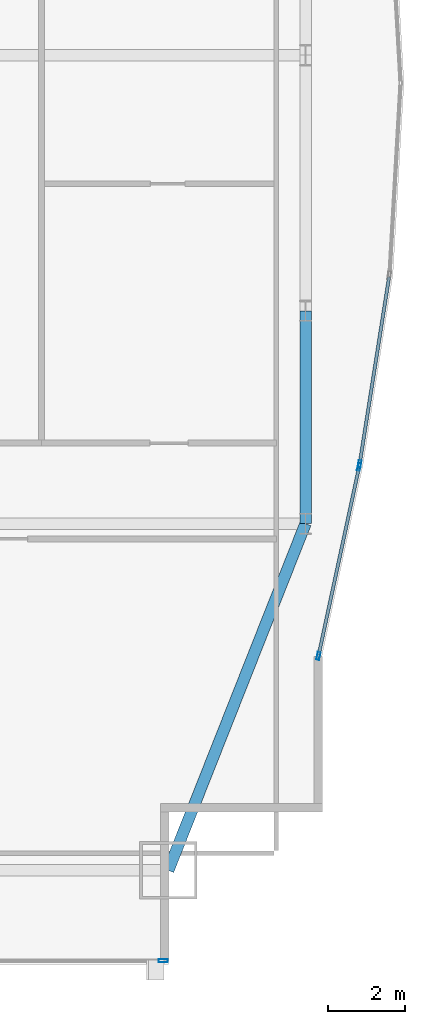
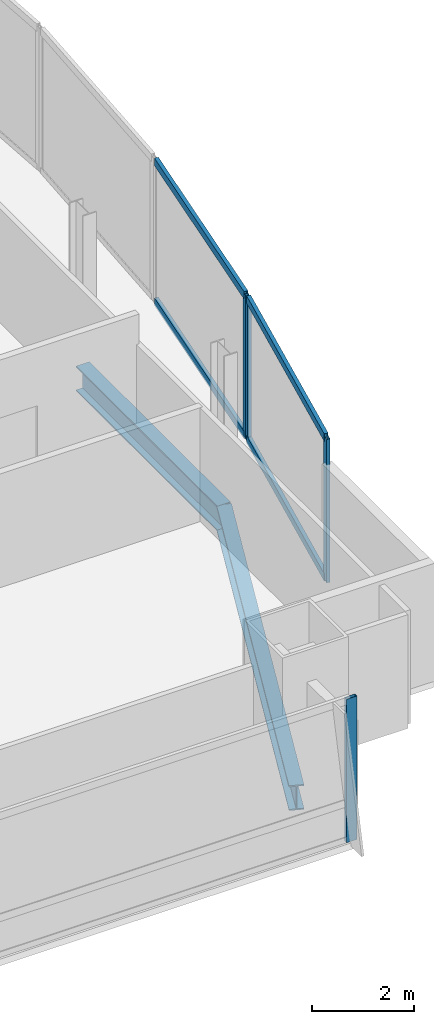
# One storey, part 21 of 32: 8 members, 2 beams, 3 elements without a shape of their own.
"""IFC4 building model written with IfcOpenShell, lengths in metres."""

from ifc_helpers import new_model, si_unit, direction, frame, origin, origin_2d, place, context, subcontext, project, spatial, hollow_rectangle, i_section, extrude, material, material_profile, profile_set, type_object, element, aggregate, save


model = new_model("IFC4")

# Units and contexts
model_context = context("Model", 3, precision=1e-05, world=origin(), true_north=direction((0.0, 1.0)))
body_context = subcontext(model_context, "Body", "Model", "MODEL_VIEW")
ifc_project = project(units=[si_unit("LENGTHUNIT", "METRE"), si_unit("AREAUNIT", "SQUARE_METRE"), si_unit("VOLUMEUNIT", "CUBIC_METRE"), si_unit("PLANEANGLEUNIT", "RADIAN"), si_unit("MASSUNIT", "GRAM", prefix="KILO")], contexts=[model_context])

# Site, building, storey
site_placement = place(None, origin())
site = spatial("IfcSite", under=ifc_project, at=site_placement, CompositionType="ELEMENT")
building_placement = place(site_placement, origin())
building = spatial("IfcBuilding", under=site, at=building_placement, Name="Khoronbel Lancet Exchange", CompositionType="ELEMENT")
storey_placement = place(building_placement, frame((0.0, 0.0, 111.0)))
storey = spatial("IfcBuildingStorey", under=building, at=storey_placement, Name="L26", CompositionType="ELEMENT", Elevation=111.0)

# Beams
ifc_material_1 = material(Name="Steel S355", Category="steel")
ifc_material_profile_1 = material_profile(ifc_material_1, i_section(OverallWidth=0.300048828125, OverallDepth=0.60009765625, WebThickness=0.015380859375, FlangeThickness=0.030029296875, at=origin_2d()), Name="HEB 600")
ifc_profile_set_1 = profile_set([ifc_material_profile_1], Name="Steel S355")
beam_type = type_object("IfcBeamType", Name="BM-BSP2", PredefinedType="SPANDREL", material=ifc_profile_set_1)
beam_1_placement = place(storey_placement, frame((66.050048828125, 10.14990234375, -0.4599609375), z_axis=(0.367828403855, 0.929893684954, 0.0), x_axis=(-0.929893684954, 0.367828403855, 0.0)))
element("IfcBeam", 1, at=beam_1_placement, inside=storey, type_object=beam_type, Name="Level L26 perimeter spandrel beam SP10", PredefinedType="SPANDREL", context=body_context, shape_type="SweptSolid", body=[
    extrude(i_section(OverallWidth=0.300048828125, OverallDepth=0.60009765625, WebThickness=0.015380859375, FlangeThickness=0.030029296875, at=origin_2d()), origin(), (0.0, 0.0, 1.0), 9.732421875),
])
beam_2_placement = place(storey_placement, frame((69.6298828125, 19.199951171875, -0.4599609375), z_axis=(0.0, 1.0, 0.0), x_axis=(-1.0, 0.0, 0.0)))
element("IfcBeam", 2, at=beam_2_placement, inside=storey, type_object=beam_type, Name="Level L26 perimeter spandrel beam SP11", PredefinedType="SPANDREL", context=body_context, shape_type="SweptSolid", body=[
    extrude(i_section(OverallWidth=0.300048828125, OverallDepth=0.60009765625, WebThickness=0.015380859375, FlangeThickness=0.030029296875, at=origin_2d()), origin(), (0.0, 0.0, 1.0), 5.550048828125),
])

# Curtain wall, member
ifc_material_2 = material(Name="Low-E Solar Control Insulating Glass", Category="glass")
curtain_wall_type_1 = type_object("IfcCurtainWallType", Name="CW-2", PredefinedType="NOTDEFINED", material=ifc_material_2)
curtain_wall_1_placement = place(storey_placement, origin())
curtain_wall_1 = element("IfcCurtainWall", 3, at=curtain_wall_1_placement, inside=storey, type_object=curtain_wall_type_1, Name="Unitised curtain wall CW-L26-SEV", PredefinedType="NOTDEFINED")
ifc_material_3 = material(Name="Bronze-Anodised Aluminium 6063-T6", Category="aluminium")
ifc_material_profile_2 = material_profile(ifc_material_3, hollow_rectangle(XDim=0.0849609375, YDim=0.239990234375, WallThickness=0.006103515625, at=origin_2d()), Name="ALU MULLION 85x240")
ifc_profile_set_2 = profile_set([ifc_material_profile_2], Name="Bronze-Anodised Aluminium 6063-T6")
member_type_1 = type_object("IfcMemberType", Name="MEM-CWM1", PredefinedType="MULLION", material=ifc_profile_set_2)
member_1_placement = place(storey_placement, frame((65.91748046875, 7.7900390625, 0.0), z_axis=(0.0, 0.0, 1.0), x_axis=(0.0, 1.0, 0.0)))
member_1 = element("IfcMember", 4, at=member_1_placement, type_object=member_type_1, Name="CW2 mullion 2", PredefinedType="MULLION", context=body_context, shape_type="SweptSolid", body=[
    extrude(hollow_rectangle(XDim=0.0849609375, YDim=0.239990234375, WallThickness=0.006103515625, at=origin_2d()), origin(), (0.0, 0.0, 1.0), 3.43994140625),
])
aggregate(curtain_wall_1, [member_1])

curtain_wall_type_2 = type_object("IfcCurtainWallType", Name="CW-4", PredefinedType="NOTDEFINED", material=ifc_material_2)
curtain_wall_2_placement = place(storey_placement, origin())
curtain_wall_2 = element("IfcCurtainWall", 5, at=curtain_wall_2_placement, inside=storey, type_object=curtain_wall_type_2, Name="Unitised curtain wall CW-L26-E21", PredefinedType="NOTDEFINED")
ifc_material_profile_3 = material_profile(ifc_material_3, hollow_rectangle(XDim=0.074951171875, YDim=0.199951171875, WallThickness=0.0048828125, at=origin_2d()), Name="ALU MULLION 75x200")
ifc_profile_set_3 = profile_set([ifc_material_profile_3], Name="Bronze-Anodised Aluminium 6063-T6")
member_type_2 = type_object("IfcMemberType", Name="MEM-CWM2", PredefinedType="MULLION", material=ifc_profile_set_3)
member_2_placement = place(storey_placement, frame((71.042236328125, 20.753662109375, 0.0), z_axis=(0.0, 0.0, 1.0), x_axis=(0.987838563117, -0.155483031933, 0.0)))
member_2 = element("IfcMember", 6, at=member_2_placement, type_object=member_type_2, Name="CW4 mullion 2", PredefinedType="MULLION", context=body_context, shape_type="SweptSolid", body=[
    extrude(hollow_rectangle(XDim=0.074951171875, YDim=0.199951171875, WallThickness=0.0048828125, at=origin_2d()), origin(), (0.0, 0.0, 1.0), 3.43994140625),
])

# Curtain wall, members
curtain_wall_3_placement = place(storey_placement, origin())
curtain_wall_3 = element("IfcCurtainWall", 7, at=curtain_wall_3_placement, inside=storey, type_object=curtain_wall_type_2, Name="Unitised curtain wall CW-L26-E22", PredefinedType="NOTDEFINED")
member_3_placement = place(storey_placement, frame((71.028564453125, 20.679931640625, 0.0), z_axis=(0.0, 0.0, 1.0), x_axis=(0.977658451967, -0.210199789006, 0.0)))
member_3 = element("IfcMember", 8, at=member_3_placement, type_object=member_type_2, Name="CW4 mullion 1", PredefinedType="MULLION", context=body_context, shape_type="SweptSolid", body=[
    extrude(hollow_rectangle(XDim=0.074951171875, YDim=0.199951171875, WallThickness=0.0048828125, at=origin_2d()), origin(), (0.0, 0.0, 1.0), 3.43994140625),
])
member_4_placement = place(storey_placement, frame((69.9677734375, 15.746337890625, 0.0), z_axis=(0.0, 0.0, 1.0), x_axis=(0.977658451967, -0.210199789006, 0.0)))
member_4 = element("IfcMember", 9, at=member_4_placement, type_object=member_type_2, Name="CW4 mullion 2", PredefinedType="MULLION", context=body_context, shape_type="SweptSolid", body=[
    extrude(hollow_rectangle(XDim=0.074951171875, YDim=0.199951171875, WallThickness=0.0048828125, at=origin_2d()), origin(), (0.0, 0.0, 1.0), 3.43994140625),
])

# Member
ifc_material_profile_4 = material_profile(ifc_material_3, hollow_rectangle(XDim=0.0849609375, YDim=0.179931640625, WallThickness=0.0048828125, at=origin_2d()), Name="ALU TRANSOM 85x180")
ifc_profile_set_4 = profile_set([ifc_material_profile_4], Name="Bronze-Anodised Aluminium 6063-T6")
member_type_3 = type_object("IfcMemberType", Name="MEM-CWT1", PredefinedType="USERDEFINED", material=ifc_profile_set_4)
member_5_placement = place(storey_placement, frame((71.810791015625, 25.635498046875, 0.04248046875), z_axis=(-0.155505007056, -0.987835104043, 0.0), x_axis=(0.987835104043, -0.155505007056, 0.0)))
member_5 = element("IfcMember", 10, at=member_5_placement, type_object=member_type_3, Name="CW4 transom 1.1", ObjectType="TRANSOM", PredefinedType="USERDEFINED", context=body_context, shape_type="SweptSolid", body=[
    extrude(hollow_rectangle(XDim=0.0849609375, YDim=0.179931640625, WallThickness=0.0048828125, at=origin_2d()), origin(), (0.0, 0.0, 1.0), 4.904541015625),
])

member_6_placement = place(storey_placement, frame((71.810791015625, 25.635498046875, 3.3974609375), z_axis=(-0.155505007056, -0.987835104043, 0.0), x_axis=(0.987835104043, -0.155505007056, 0.0)))
member_6 = element("IfcMember", 11, at=member_6_placement, type_object=member_type_3, Name="CW4 transom 1.2", ObjectType="TRANSOM", PredefinedType="USERDEFINED", context=body_context, shape_type="SweptSolid", body=[
    extrude(hollow_rectangle(XDim=0.0849609375, YDim=0.179931640625, WallThickness=0.0048828125, at=origin_2d()), origin(), (0.0, 0.0, 1.0), 4.904541015625),
])

aggregate(curtain_wall_2, [member_2, member_5, member_6])

member_7_placement = place(storey_placement, frame((71.020751953125, 20.64306640625, 0.04248046875), z_axis=(-0.210196474816, -0.977659164523, 0.0), x_axis=(0.977659164523, -0.210196474816, 0.0)))
member_7 = element("IfcMember", 12, at=member_7_placement, type_object=member_type_3, Name="CW4 transom 1.1", ObjectType="TRANSOM", PredefinedType="USERDEFINED", context=body_context, shape_type="SweptSolid", body=[
    extrude(hollow_rectangle(XDim=0.0849609375, YDim=0.179931640625, WallThickness=0.0048828125, at=origin_2d()), origin(), (0.0, 0.0, 1.0), 4.97119140625),
])

member_8_placement = place(storey_placement, frame((71.020751953125, 20.64306640625, 3.3974609375), z_axis=(-0.210196474816, -0.977659164523, 0.0), x_axis=(0.977659164523, -0.210196474816, 0.0)))
member_8 = element("IfcMember", 13, at=member_8_placement, type_object=member_type_3, Name="CW4 transom 1.2", ObjectType="TRANSOM", PredefinedType="USERDEFINED", context=body_context, shape_type="SweptSolid", body=[
    extrude(hollow_rectangle(XDim=0.0849609375, YDim=0.179931640625, WallThickness=0.0048828125, at=origin_2d()), origin(), (0.0, 0.0, 1.0), 4.97119140625),
])

aggregate(curtain_wall_3, [member_3, member_4, member_7, member_8])

save(model, "model.ifc")
